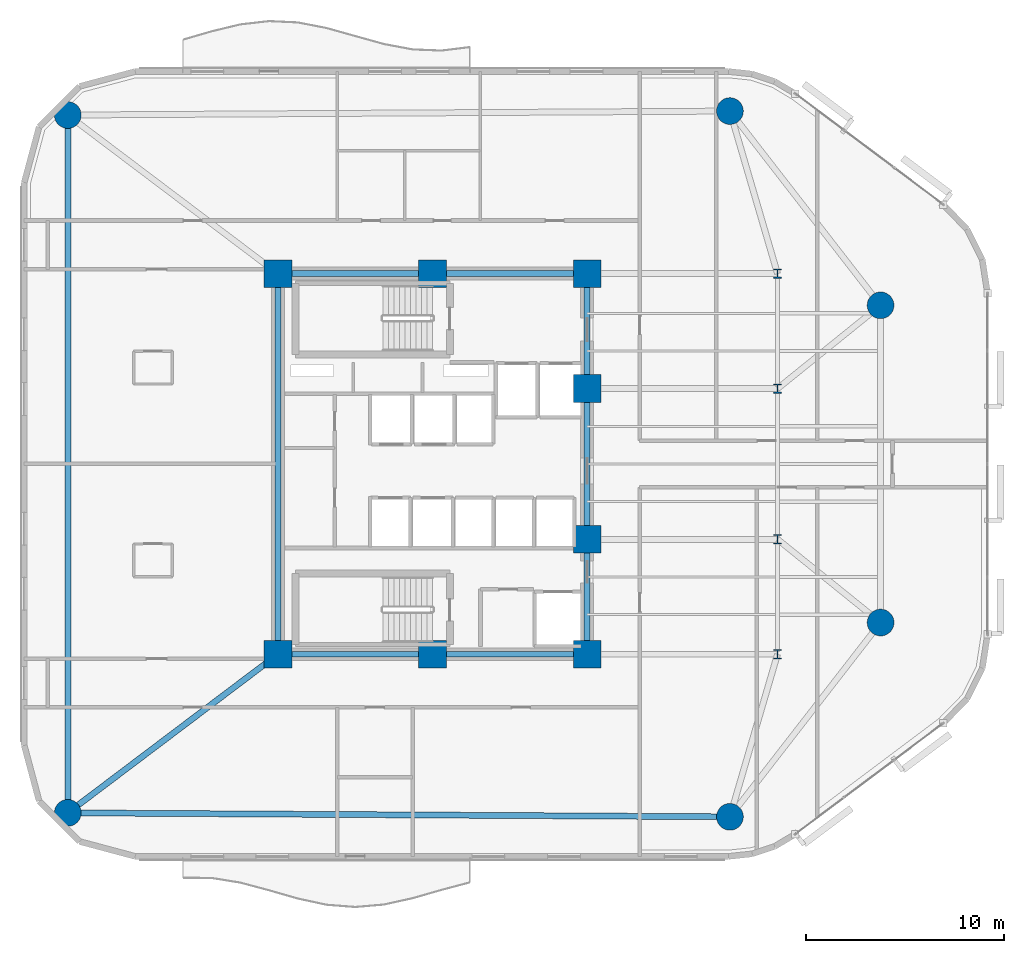
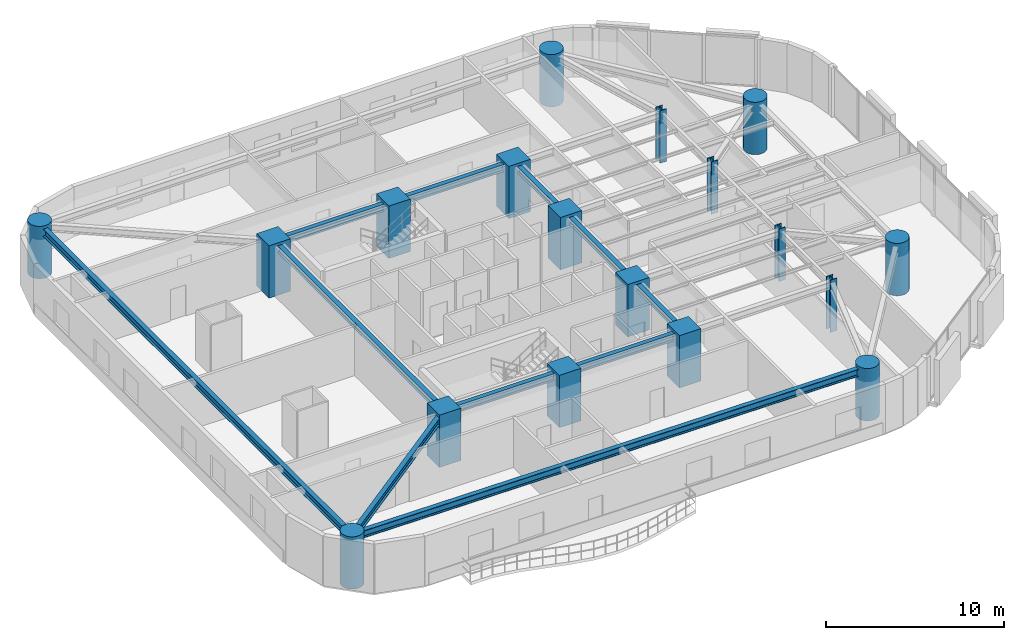
# One storey, part 1 of 16: 18 columns, 9 beams.
"""IFC4 building model written with IfcOpenShell, lengths in metres."""

from ifc_helpers import new_model, si_unit, direction, frame, origin, origin_2d, place, context, subcontext, project, spatial, rectangle, circle, i_section, extrude, material, material_profile, profile_set, type_object, element, save


model = new_model("IFC4")

# Units and contexts
model_context = context("Model", 3, precision=1e-05, world=origin(), true_north=direction((0.0, 1.0)))
body_context = subcontext(model_context, "Body", "Model", "MODEL_VIEW")
ifc_project = project(units=[si_unit("LENGTHUNIT", "METRE"), si_unit("AREAUNIT", "SQUARE_METRE"), si_unit("VOLUMEUNIT", "CUBIC_METRE"), si_unit("PLANEANGLEUNIT", "RADIAN"), si_unit("MASSUNIT", "GRAM", prefix="KILO")], contexts=[model_context])

# Site, building, storey
site_placement = place(None, origin())
site = spatial("IfcSite", under=ifc_project, at=site_placement, CompositionType="ELEMENT")
building_placement = place(site_placement, origin())
building = spatial("IfcBuilding", under=site, at=building_placement, Name="An Khanh Terracotta Commons", CompositionType="ELEMENT")
storey_placement = place(building_placement, frame((0.0, 0.0, 111.5)))
storey = spatial("IfcBuildingStorey", under=building, at=storey_placement, Name="L29", CompositionType="ELEMENT", Elevation=111.5)

# Columns
ifc_material_1 = material(Name="Concrete C70/85", Category="concrete")
ifc_material_profile_1 = material_profile(ifc_material_1, circle(Radius=0.675048828125, at=origin_2d()), Name="CFST1350")
ifc_profile_set_1 = profile_set([ifc_material_profile_1], Name="Concrete C70/85")
column_type_1 = type_object("IfcColumnType", Name="COL-CFST1350", PredefinedType="COLUMN", material=ifc_profile_set_1)
for number, where, z_axis, x_axis, name in (
    (1, (11.0, 6.39990234375, 0.0), (0.0, 0.0, 1.0), (1.0, 0.0, 0.0), "L29 Perimeter CFST Mega-Column MC-01"),
    (2, (44.39990234375, 6.199951171875, 0.0), (0.0, 0.0, 1.0), (1.0, 0.0, 0.0), "L29 Perimeter CFST Mega-Column MC-02"),
    (3, (52.0, 16.0, 0.0), (0.0, 0.0, 1.0), (1.0, 0.0, 0.0), "L29 Perimeter CFST Mega-Column MC-03"),
    (4, (52.0, 32.0, 0.0), (0.0, 0.0, 1.0), (1.0, 0.0, 0.0), "L29 Perimeter CFST Mega-Column MC-04"),
    (5, (44.39990234375, 41.800048828125, 0.0), (0.0, 0.0, 1.0), (1.0, 0.0, 0.0), "L29 Perimeter CFST Mega-Column MC-05"),
    (6, (11.0, 41.60009765625, 0.0), (0.0, 0.0, 1.0), (1.0, 0.0, 0.0), "L29 Perimeter CFST Mega-Column MC-06"),
):
    element("IfcColumn", number, at=place(storey_placement, frame(where, z_axis=z_axis, x_axis=x_axis)), inside=storey, type_object=column_type_1, Name=name, PredefinedType="COLUMN", context=body_context, shape_type="SweptSolid", body=[
        extrude(circle(Radius=0.675048828125, at=origin_2d()), origin(), (0.0, 0.0, 1.0), 3.60009765625),
    ])
ifc_material_2 = material(Name="Steel S460ML", Category="steel")
ifc_material_profile_2 = material_profile(ifc_material_2, i_section(OverallWidth=0.4169921875, OverallDepth=0.47705078125, WebThickness=0.035888671875, FlangeThickness=0.057373046875, FilletRadius=0.014892578125, at=origin_2d()), Name="HD400x463")
ifc_profile_set_2 = profile_set([ifc_material_profile_2], Name="Steel S460ML")
column_type_2 = type_object("IfcColumnType", Name="COL-HD400x463", PredefinedType="COLUMN", material=ifc_profile_set_2)
for number, where, z_axis, x_axis, name in (
    (7, (46.800048828125, 14.39990234375, 0.0), (0.0, 0.0, 1.0), (1.0, 0.0, 0.0), "L29 Interior Frame Column TC-01"),
    (8, (46.800048828125, 20.199951171875, 0.0), (0.0, 0.0, 1.0), (1.0, 0.0, 0.0), "L29 Interior Frame Column TC-02"),
    (9, (46.800048828125, 27.800048828125, 0.0), (0.0, 0.0, 1.0), (1.0, 0.0, 0.0), "L29 Interior Frame Column TC-03"),
    (10, (46.800048828125, 33.60009765625, 0.0), (0.0, 0.0, 1.0), (1.0, 0.0, 0.0), "L29 Interior Frame Column TC-04"),
):
    element("IfcColumn", number, at=place(storey_placement, frame(where, z_axis=z_axis, x_axis=x_axis)), inside=storey, type_object=column_type_2, Name=name, PredefinedType="COLUMN", context=body_context, shape_type="SweptSolid", body=[
        extrude(i_section(OverallWidth=0.4169921875, OverallDepth=0.47705078125, WebThickness=0.035888671875, FlangeThickness=0.057373046875, FilletRadius=0.014892578125, at=origin_2d()), origin(), (0.0, 0.0, 1.0), 3.60009765625),
    ])
ifc_material_profile_3 = material_profile(ifc_material_1, rectangle(XDim=1.39990234375, YDim=1.39990234375, at=origin_2d()), Name="RC1400x1400")
ifc_profile_set_3 = profile_set([ifc_material_profile_3], Name="Concrete C70/85")
column_type_3 = type_object("IfcColumnType", Name="COL-RC1400x1400", PredefinedType="COLUMN", material=ifc_profile_set_3)
for number, where, z_axis, x_axis, name in (
    (11, (21.60009765625, 14.39990234375, 0.0), (0.0, 0.0, 1.0), (1.0, 0.0, 0.0), "L29 Core Boundary Column CC-01"),
    (12, (29.39990234375, 14.39990234375, 0.0), (0.0, 0.0, 1.0), (1.0, 0.0, 0.0), "L29 Core Boundary Column CC-02"),
    (13, (37.199951171875, 14.39990234375, 0.0), (0.0, 0.0, 1.0), (1.0, 0.0, 0.0), "L29 Core Boundary Column CC-03"),
    (14, (37.199951171875, 20.199951171875, 0.0), (0.0, 0.0, 1.0), (1.0, 0.0, 0.0), "L29 Core Boundary Column CC-04"),
    (15, (37.199951171875, 27.800048828125, 0.0), (0.0, 0.0, 1.0), (1.0, 0.0, 0.0), "L29 Core Boundary Column CC-05"),
    (16, (37.199951171875, 33.60009765625, 0.0), (0.0, 0.0, 1.0), (1.0, 0.0, 0.0), "L29 Core Boundary Column CC-06"),
    (17, (29.39990234375, 33.60009765625, 0.0), (0.0, 0.0, 1.0), (1.0, 0.0, 0.0), "L29 Core Boundary Column CC-07"),
    (18, (21.60009765625, 33.60009765625, 0.0), (0.0, 0.0, 1.0), (1.0, 0.0, 0.0), "L29 Core Boundary Column CC-08"),
):
    element("IfcColumn", number, at=place(storey_placement, frame(where, z_axis=z_axis, x_axis=x_axis)), inside=storey, type_object=column_type_3, Name=name, PredefinedType="COLUMN", context=body_context, shape_type="SweptSolid", body=[
        extrude(rectangle(XDim=1.39990234375, YDim=1.39990234375, at=origin_2d()), origin(), (0.0, 0.0, 1.0), 3.60009765625),
    ])

# Beams
ifc_material_3 = material(Name="Steel S355J2", Category="steel")
ifc_material_profile_4 = material_profile(ifc_material_3, i_section(OverallWidth=0.300048828125, OverallDepth=0.449951171875, WebThickness=0.013916015625, FlangeThickness=0.02587890625, FilletRadius=0.027099609375, at=origin_2d()), Name="HEB450")
ifc_profile_set_4 = profile_set([ifc_material_profile_4], Name="Steel S355J2")
beam_type_1 = type_object("IfcBeamType", Name="BM-HEB450", PredefinedType="BEAM", material=ifc_profile_set_4)
beam_1_placement = place(storey_placement, frame((37.199951171875, 14.39990234375, 3.175048828125), z_axis=(0.0, 1.0, 0.0), x_axis=(-1.0, 0.0, 0.0)))
element("IfcBeam", 19, at=beam_1_placement, inside=storey, type_object=beam_type_1, Name="L29 Core East Coupling Girder 1", PredefinedType="BEAM", context=body_context, shape_type="SweptSolid", body=[
    extrude(i_section(OverallWidth=0.300048828125, OverallDepth=0.449951171875, WebThickness=0.013916015625, FlangeThickness=0.02587890625, FilletRadius=0.027099609375, at=origin_2d()), origin(), (0.0, 0.0, 1.0), 5.800048828125),
])
beam_2_placement = place(storey_placement, frame((37.199951171875, 20.199951171875, 3.175048828125), z_axis=(0.0, 1.0, 0.0), x_axis=(-1.0, 0.0, 0.0)))
element("IfcBeam", 20, at=beam_2_placement, inside=storey, type_object=beam_type_1, Name="L29 Core East Coupling Girder 2", PredefinedType="BEAM", context=body_context, shape_type="SweptSolid", body=[
    extrude(i_section(OverallWidth=0.300048828125, OverallDepth=0.449951171875, WebThickness=0.013916015625, FlangeThickness=0.02587890625, FilletRadius=0.027099609375, at=origin_2d()), origin(), (0.0, 0.0, 1.0), 7.60009765625),
])
beam_3_placement = place(storey_placement, frame((37.199951171875, 27.800048828125, 3.175048828125), z_axis=(0.0, 1.0, 0.0), x_axis=(-1.0, 0.0, 0.0)))
element("IfcBeam", 21, at=beam_3_placement, inside=storey, type_object=beam_type_1, Name="L29 Core East Coupling Girder 3", PredefinedType="BEAM", context=body_context, shape_type="SweptSolid", body=[
    extrude(i_section(OverallWidth=0.300048828125, OverallDepth=0.449951171875, WebThickness=0.013916015625, FlangeThickness=0.02587890625, FilletRadius=0.027099609375, at=origin_2d()), origin(), (0.0, 0.0, 1.0), 5.800048828125),
])
beam_4_placement = place(storey_placement, frame((21.60009765625, 14.39990234375, 3.175048828125), z_axis=(0.0, 1.0, 0.0), x_axis=(-1.0, 0.0, 0.0)))
element("IfcBeam", 22, at=beam_4_placement, inside=storey, type_object=beam_type_1, Name="L29 Core West Coupling Girder", PredefinedType="BEAM", context=body_context, shape_type="SweptSolid", body=[
    extrude(i_section(OverallWidth=0.300048828125, OverallDepth=0.449951171875, WebThickness=0.013916015625, FlangeThickness=0.02587890625, FilletRadius=0.027099609375, at=origin_2d()), origin(), (0.0, 0.0, 1.0), 19.2001953125),
])
ifc_material_profile_5 = material_profile(ifc_material_3, i_section(OverallWidth=0.300048828125, OverallDepth=0.5, WebThickness=0.014404296875, FlangeThickness=0.028076171875, FilletRadius=0.027099609375, at=origin_2d()), Name="HEB500")
ifc_profile_set_5 = profile_set([ifc_material_profile_5], Name="Steel S355J2")
beam_type_2 = type_object("IfcBeamType", Name="BM-HEB500", PredefinedType="BEAM", material=ifc_profile_set_5)
for number, where, z_axis, x_axis, name in (
    (23, (21.60009765625, 14.39990234375, 3.14990234375), (1.0, 0.0, 0.0), (0.0, 1.0, 0.0), "L29 Core South Coupling Girder"),
    (24, (21.60009765625, 33.60009765625, 3.14990234375), (1.0, 0.0, 0.0), (0.0, 1.0, 0.0), "L29 Core North Coupling Girder"),
):
    element("IfcBeam", number, at=place(storey_placement, frame(where, z_axis=z_axis, x_axis=x_axis)), inside=storey, type_object=beam_type_2, Name=name, PredefinedType="BEAM", context=body_context, shape_type="SweptSolid", body=[
        extrude(i_section(OverallWidth=0.300048828125, OverallDepth=0.5, WebThickness=0.014404296875, FlangeThickness=0.028076171875, FilletRadius=0.027099609375, at=origin_2d()), origin(), (0.0, 0.0, 1.0), 15.599853515625),
    ])
beam_5_placement = place(storey_placement, frame((11.0, 6.39990234375, 3.14990234375), z_axis=(0.999982080914, -0.005986472262, 0.0), x_axis=(0.005986472262, 0.999982080914, 0.0)))
element("IfcBeam", 25, at=beam_5_placement, inside=storey, type_object=beam_type_2, Name="L29 Perimeter Ring Spandrel 1", PredefinedType="BEAM", context=body_context, shape_type="SweptSolid", body=[
    extrude(i_section(OverallWidth=0.300048828125, OverallDepth=0.5, WebThickness=0.014404296875, FlangeThickness=0.028076171875, FilletRadius=0.027099609375, at=origin_2d()), origin(), (0.0, 0.0, 1.0), 33.400390625),
])
beam_6_placement = place(storey_placement, frame((11.0, 41.60009765625, 3.14990234375), z_axis=(0.0, -1.0, 0.0), x_axis=(1.0, 0.0, 0.0)))
element("IfcBeam", 26, at=beam_6_placement, inside=storey, type_object=beam_type_2, Name="L29 Perimeter Ring Spandrel 6", PredefinedType="BEAM", context=body_context, shape_type="SweptSolid", body=[
    extrude(i_section(OverallWidth=0.300048828125, OverallDepth=0.5, WebThickness=0.014404296875, FlangeThickness=0.028076171875, FilletRadius=0.027099609375, at=origin_2d()), origin(), (0.0, 0.0, 1.0), 35.2001953125),
])
beam_7_placement = place(storey_placement, frame((11.0, 6.39990234375, 3.14990234375), z_axis=(0.798191818888, 0.602403370061, 0.0), x_axis=(-0.602403370061, 0.798191818888, 0.0)))
element("IfcBeam", 27, at=beam_7_placement, inside=storey, type_object=beam_type_2, Name="L29 Mega-Column Tie Girder 1", PredefinedType="BEAM", context=body_context, shape_type="SweptSolid", body=[
    extrude(i_section(OverallWidth=0.300048828125, OverallDepth=0.5, WebThickness=0.014404296875, FlangeThickness=0.028076171875, FilletRadius=0.027099609375, at=origin_2d()), origin(), (0.0, 0.0, 1.0), 13.280029296875),
])

save(model, "model.ifc")
